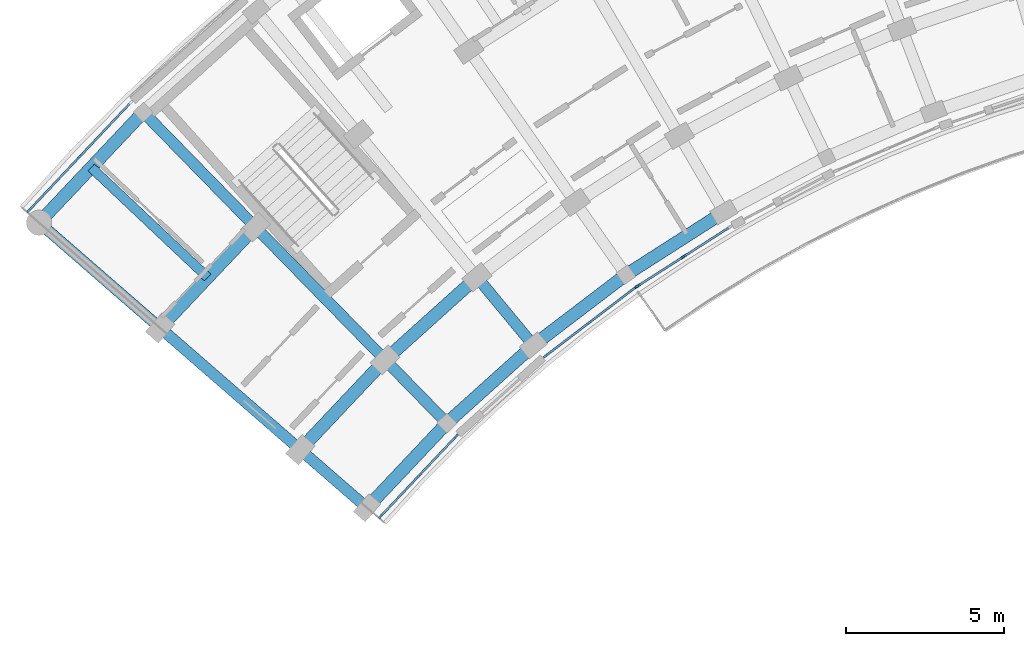
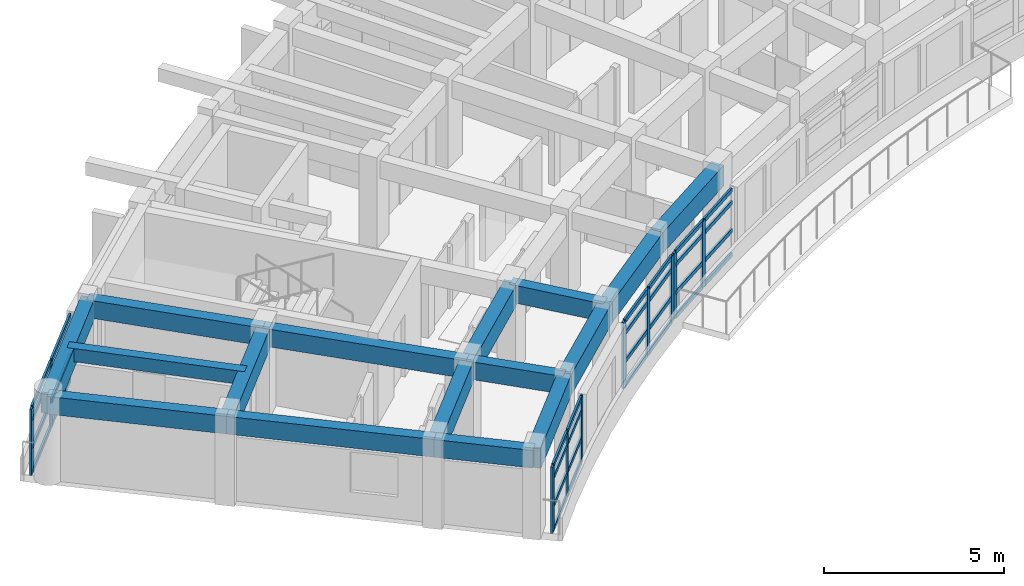
# One storey, part 3 of 56: 42 members, 16 beams, 4 elements without a shape of their own.
"""IFC4 building model written with IfcOpenShell, lengths in metres."""

from ifc_helpers import new_model, si_unit, direction, frame, origin, origin_2d, place, context, subcontext, project, spatial, rectangle, extrude, material, material_profile, profile_set, type_object, element, aggregate, save


model = new_model("IFC4")

# Units and contexts
model_context = context("Model", 3, precision=1e-05, world=origin(), true_north=direction((0.0, 1.0)))
body_context = subcontext(model_context, "Body", "Model", "MODEL_VIEW")
ifc_project = project(units=[si_unit("LENGTHUNIT", "METRE"), si_unit("AREAUNIT", "SQUARE_METRE"), si_unit("VOLUMEUNIT", "CUBIC_METRE"), si_unit("PLANEANGLEUNIT", "RADIAN"), si_unit("MASSUNIT", "GRAM", prefix="KILO")], contexts=[model_context])

# Site, building, storey
site_placement = place(None, origin())
site = spatial("IfcSite", under=ifc_project, at=site_placement, CompositionType="ELEMENT")
building_placement = place(site_placement, origin())
building = spatial("IfcBuilding", under=site, at=building_placement, Name="Zimvara Arc Housing Community", CompositionType="ELEMENT")
storey_placement = place(building_placement, frame((0.0, 0.0, 17.39990234375)))
storey = spatial("IfcBuildingStorey", under=building, at=storey_placement, Name="L05", CompositionType="ELEMENT", Elevation=17.39990234375)

# Beams
ifc_material_1 = material(Name="Concrete C40/50", Category="concrete")
ifc_material_profile_1 = material_profile(ifc_material_1, rectangle(XDim=0.300048828125, YDim=0.449951171875, at=origin_2d()), Name="RC 300x450")
ifc_profile_set_1 = profile_set([ifc_material_profile_1], Name="Concrete C40/50")
beam_type_1 = type_object("IfcBeamType", Name="BM-RC-300x450", PredefinedType="JOIST", material=ifc_profile_set_1)
beam_1_placement = place(storey_placement, frame((5.904296875, 81.3935546875, 2.64501953125), z_axis=(-0.727299876429, 0.686319815936, 0.0), x_axis=(-0.686319815936, -0.727299876429, 0.0)))
element("IfcBeam", 1, at=beam_1_placement, inside=storey, type_object=beam_type_1, Name="bm:blkA:L05:joist:b0", PredefinedType="JOIST", context=body_context, shape_type="SweptSolid", body=[
    extrude(rectangle(XDim=0.300048828125, YDim=0.449951171875, at=origin_2d()), origin(), (0.0, 0.0, 1.0), 5.075927734375),
])
ifc_material_2 = material(Name="Concrete C40/50", Category="concrete")
ifc_material_profile_2 = material_profile(ifc_material_2, rectangle(XDim=0.35009765625, YDim=0.60009765625, at=origin_2d()), Name="RC 350x600")
ifc_profile_set_2 = profile_set([ifc_material_profile_2], Name="Concrete C40/50")
beam_type_2 = type_object("IfcBeamType", Name="BM-RC-350x600", PredefinedType="BEAM", material=ifc_profile_set_2)
beam_2_placement = place(storey_placement, frame((10.947509765625, 74.101318359375, 2.570068359375), z_axis=(-0.754733151583, 0.656031912259, 0.0), x_axis=(-0.656031912259, -0.754733151583, 0.0)))
element("IfcBeam", 2, at=beam_2_placement, inside=storey, type_object=beam_type_2, Name="bm:blkA:L05:rad:b0:r01", PredefinedType="BEAM", context=body_context, shape_type="SweptSolid", body=[
    extrude(rectangle(XDim=0.35009765625, YDim=0.60009765625, at=origin_2d()), origin(), (0.0, 0.0, 1.0), 2.800048828125),
])
beam_3_placement = place(storey_placement, frame((8.834228515625, 75.938232421875, 2.570068359375), z_axis=(-0.754692223258, 0.656078995362, 0.0), x_axis=(-0.656078995362, -0.754692223258, 0.0)))
element("IfcBeam", 3, at=beam_3_placement, inside=storey, type_object=beam_type_2, Name="bm:blkA:L05:rad:b0:r12", PredefinedType="BEAM", context=body_context, shape_type="SweptSolid", body=[
    extrude(rectangle(XDim=0.35009765625, YDim=0.60009765625, at=origin_2d()), origin(), (0.0, 0.0, 1.0), 5.8798828125),
])
beam_4_placement = place(storey_placement, frame((4.396728515625, 79.7958984375, 2.570068359375), z_axis=(-0.754716217499, 0.656051393599, 0.0), x_axis=(-0.656051393599, -0.754716217499, 0.0)))
element("IfcBeam", 4, at=beam_4_placement, inside=storey, type_object=beam_type_2, Name="bm:blkA:L05:rad:b0:r23", PredefinedType="BEAM", context=body_context, shape_type="SweptSolid", body=[
    extrude(rectangle(XDim=0.35009765625, YDim=0.60009765625, at=origin_2d()), origin(), (0.0, 0.0, 1.0), 5.080078125),
])
beam_5_placement = place(storey_placement, frame((13.476318359375, 76.781005859375, 2.570068359375), z_axis=(-0.698643013894, 0.71547043205, 0.0), x_axis=(-0.71547043205, -0.698643013894, 0.0)))
element("IfcBeam", 5, at=beam_5_placement, inside=storey, type_object=beam_type_2, Name="bm:blkA:L05:rad:b1:r01", PredefinedType="BEAM", context=body_context, shape_type="SweptSolid", body=[
    extrude(rectangle(XDim=0.35009765625, YDim=0.60009765625, at=origin_2d()), origin(), (0.0, 0.0, 1.0), 2.800048828125),
])
beam_6_placement = place(storey_placement, frame((11.52001953125, 78.784423828125, 2.570068359375), z_axis=(-0.698669844288, 0.715444231707, 0.0), x_axis=(-0.715444231707, -0.698669844288, 0.0)))
element("IfcBeam", 6, at=beam_6_placement, inside=storey, type_object=beam_type_2, Name="bm:blkA:L05:rad:b1:r12", PredefinedType="BEAM", context=body_context, shape_type="SweptSolid", body=[
    extrude(rectangle(XDim=0.35009765625, YDim=0.60009765625, at=origin_2d()), origin(), (0.0, 0.0, 1.0), 5.8798828125),
])
beam_7_placement = place(storey_placement, frame((7.411865234375, 82.9912109375, 2.570068359375), z_axis=(-0.698670885014, 0.71544321538, 0.0), x_axis=(-0.71544321538, -0.698670885014, 0.0)))
element("IfcBeam", 7, at=beam_7_placement, inside=storey, type_object=beam_type_2, Name="bm:blkA:L05:rad:b1:r23", PredefinedType="BEAM", context=body_context, shape_type="SweptSolid", body=[
    extrude(rectangle(XDim=0.35009765625, YDim=0.60009765625, at=origin_2d()), origin(), (0.0, 0.0, 1.0), 5.080078125),
])
beam_8_placement = place(storey_placement, frame((16.215087890625, 79.245361328125, 2.570068359375), z_axis=(-0.637917412223, 0.770104781951, 0.0), x_axis=(-0.770104781951, -0.637917412223, 0.0)))
element("IfcBeam", 8, at=beam_8_placement, inside=storey, type_object=beam_type_2, Name="bm:blkA:L05:rad:b2:r01", PredefinedType="BEAM", context=body_context, shape_type="SweptSolid", body=[
    extrude(rectangle(XDim=0.35009765625, YDim=0.60009765625, at=origin_2d()), origin(), (0.0, 0.0, 1.0), 2.800048828125),
])
ifc_material_3 = material(Name="Concrete C40/50", Category="concrete")
ifc_material_profile_3 = material_profile(ifc_material_3, rectangle(XDim=0.39990234375, YDim=0.699951171875, at=origin_2d()), Name="RC 400x700")
ifc_profile_set_3 = profile_set([ifc_material_profile_3], Name="Concrete C40/50")
beam_type_3 = type_object("IfcBeamType", Name="BM-RC-400x700", PredefinedType="BEAM", material=ifc_profile_set_3)
beam_9_placement = place(storey_placement, frame((10.947509765625, 74.101318359375, 2.52001953125), z_axis=(0.686335517678, 0.727285059088, 0.0), x_axis=(-0.727285059088, 0.686335517678, 0.0)))
element("IfcBeam", 9, at=beam_9_placement, inside=storey, type_object=beam_type_3, Name="bm:blkA:L05:chord:r0:b0", PredefinedType="BEAM", context=body_context, shape_type="SweptSolid", body=[
    extrude(rectangle(XDim=0.39990234375, YDim=0.699951171875, at=origin_2d()), origin(), (0.0, 0.0, 1.0), 3.6845703125),
])
beam_10_placement = place(storey_placement, frame((13.476318359375, 76.781005859375, 2.52001953125), z_axis=(0.743366631239, 0.668884183966, 0.0), x_axis=(-0.668884183966, 0.743366631239, 0.0)))
element("IfcBeam", 10, at=beam_10_placement, inside=storey, type_object=beam_type_3, Name="bm:blkA:L05:chord:r0:b1", PredefinedType="BEAM", context=body_context, shape_type="SweptSolid", body=[
    extrude(rectangle(XDim=0.39990234375, YDim=0.699951171875, at=origin_2d()), origin(), (0.0, 0.0, 1.0), 3.684326171875),
])
beam_11_placement = place(storey_placement, frame((16.215087890625, 79.245361328125, 2.52001953125), z_axis=(0.795453014049, 0.606015265847, 0.0), x_axis=(-0.606015265847, 0.795453014049, 0.0)))
element("IfcBeam", 11, at=beam_11_placement, inside=storey, type_object=beam_type_3, Name="bm:blkA:L05:chord:r0:b2", PredefinedType="BEAM", context=body_context, shape_type="SweptSolid", body=[
    extrude(rectangle(XDim=0.39990234375, YDim=0.699951171875, at=origin_2d()), origin(), (0.0, 0.0, 1.0), 3.6845703125),
])
beam_12_placement = place(storey_placement, frame((19.14599609375, 81.478271484375, 2.52001953125), z_axis=(0.842272604079, 0.539051816079, 0.0), x_axis=(-0.539051816079, 0.842272604079, 0.0)))
element("IfcBeam", 12, at=beam_12_placement, inside=storey, type_object=beam_type_3, Name="bm:blkA:L05:chord:r0:b3", PredefinedType="BEAM", context=body_context, shape_type="SweptSolid", body=[
    extrude(rectangle(XDim=0.39990234375, YDim=0.699951171875, at=origin_2d()), origin(), (0.0, 0.0, 1.0), 3.684326171875),
])
beam_13_placement = place(storey_placement, frame((8.834228515625, 75.938232421875, 2.52001953125), z_axis=(0.686315710793, 0.727303750243, 0.0), x_axis=(-0.727303750243, 0.686315710793, 0.0)))
element("IfcBeam", 13, at=beam_13_placement, inside=storey, type_object=beam_type_3, Name="bm:blkA:L05:chord:r1:b0", PredefinedType="BEAM", context=body_context, shape_type="SweptSolid", body=[
    extrude(rectangle(XDim=0.39990234375, YDim=0.699951171875, at=origin_2d()), origin(), (0.0, 0.0, 1.0), 3.913330078125),
])
beam_14_placement = place(storey_placement, frame((11.52001953125, 78.784423828125, 2.52001953125), z_axis=(0.743402719516, 0.668844074965, 0.0), x_axis=(-0.668844074965, 0.743402719516, 0.0)))
element("IfcBeam", 14, at=beam_14_placement, inside=storey, type_object=beam_type_3, Name="bm:blkA:L05:chord:r1:b1", PredefinedType="BEAM", context=body_context, shape_type="SweptSolid", body=[
    extrude(rectangle(XDim=0.39990234375, YDim=0.699951171875, at=origin_2d()), origin(), (0.0, 0.0, 1.0), 3.9130859375),
])
beam_15_placement = place(storey_placement, frame((4.396728515625, 79.7958984375, 2.52001953125), z_axis=(0.686303637813, 0.727315142648, 0.0), x_axis=(-0.727315142648, 0.686303637813, 0.0)))
element("IfcBeam", 15, at=beam_15_placement, inside=storey, type_object=beam_type_3, Name="bm:blkA:L05:chord:r2:b0", PredefinedType="BEAM", context=body_context, shape_type="SweptSolid", body=[
    extrude(rectangle(XDim=0.39990234375, YDim=0.699951171875, at=origin_2d()), origin(), (0.0, 0.0, 1.0), 4.393310546875),
])
beam_16_placement = place(storey_placement, frame((0.562744140625, 83.128662109375, 2.52001953125), z_axis=(0.6862954451, 0.727322873307, 0.0), x_axis=(-0.727322873307, 0.6862954451, 0.0)))
element("IfcBeam", 16, at=beam_16_placement, inside=storey, type_object=beam_type_3, Name="bm:blkA:L05:chord:r3:b0", PredefinedType="BEAM", context=body_context, shape_type="SweptSolid", body=[
    extrude(rectangle(XDim=0.39990234375, YDim=0.699951171875, at=origin_2d()), origin(), (0.0, 0.0, 1.0), 4.80810546875),
])

# Curtain wall, members
ifc_material_4 = material(Name="Anodised Aluminium AW-6063", Category="aluminium")
curtain_wall_type_1 = type_object("IfcCurtainWallType", Name="CW-SYS-04", PredefinedType="USERDEFINED", material=ifc_material_4)
curtain_wall_1_placement = place(storey_placement, origin())
curtain_wall_1 = element("IfcCurtainWall", 17, at=curtain_wall_1_placement, inside=storey, type_object=curtain_wall_type_1, Name="cw:blkA:L05:in:b0", ObjectType="CURTAIN WALL", PredefinedType="USERDEFINED")
ifc_material_5 = material(Name="Anodised Aluminium AW-6063", Category="aluminium")
ifc_material_profile_4 = material_profile(ifc_material_5, rectangle(XDim=0.06494140625, YDim=0.179931640625, at=origin_2d()), Name="ALU 65x180")
ifc_profile_set_4 = profile_set([ifc_material_profile_4], Name="Anodised Aluminium AW-6063")
member_type_1 = type_object("IfcMemberType", Name="CWM-65x150", PredefinedType="MULLION", material=ifc_profile_set_4)
member_1_placement = place(storey_placement, frame((11.388427734375, 73.840576171875, 0.0), z_axis=(0.0, 0.0, 1.0), x_axis=(-0.727293280483, 0.686326805658, 0.0)))
member_1 = element("IfcMember", 18, at=member_1_placement, type_object=member_type_1, Name="CW04 mullion 1", PredefinedType="MULLION", context=body_context, shape_type="SweptSolid", body=[
    extrude(rectangle(XDim=0.06494140625, YDim=0.179931640625, at=origin_2d()), origin(), (0.0, 0.0, 1.0), 2.25),
])
member_2_placement = place(storey_placement, frame((12.5751953125, 75.098388671875, 0.0), z_axis=(0.0, 0.0, 1.0), x_axis=(-0.727293280483, 0.686326805658, 0.0)))
member_2 = element("IfcMember", 19, at=member_2_placement, type_object=member_type_1, Name="CW04 mullion 2", PredefinedType="MULLION", context=body_context, shape_type="SweptSolid", body=[
    extrude(rectangle(XDim=0.06494140625, YDim=0.179931640625, at=origin_2d()), origin(), (0.0, 0.0, 1.0), 2.25),
])
member_3_placement = place(storey_placement, frame((13.761962890625, 76.35595703125, 0.0), z_axis=(0.0, 0.0, 1.0), x_axis=(-0.727293280483, 0.686326805658, 0.0)))
member_3 = element("IfcMember", 20, at=member_3_placement, type_object=member_type_1, Name="CW04 mullion 3", PredefinedType="MULLION", context=body_context, shape_type="SweptSolid", body=[
    extrude(rectangle(XDim=0.06494140625, YDim=0.179931640625, at=origin_2d()), origin(), (0.0, 0.0, 1.0), 2.25),
])

ifc_material_6 = material(Name="Anodised Aluminium AW-6063", Category="aluminium")
curtain_wall_type_2 = type_object("IfcCurtainWallType", Name="CW-SYS-06", PredefinedType="USERDEFINED", material=ifc_material_6)
curtain_wall_2_placement = place(storey_placement, origin())
curtain_wall_2 = element("IfcCurtainWall", 21, at=curtain_wall_2_placement, inside=storey, type_object=curtain_wall_type_2, Name="cw:blkA:L05:in:b2", ObjectType="CURTAIN WALL", PredefinedType="USERDEFINED")
member_4_placement = place(storey_placement, frame((16.607666015625, 78.91650390625, 0.0), z_axis=(0.0, 0.0, 1.0), x_axis=(-0.605988318533, 0.795473543119, 0.0)))
member_4 = element("IfcMember", 22, at=member_4_placement, type_object=member_type_1, Name="CW06 mullion 1", PredefinedType="MULLION", context=body_context, shape_type="SweptSolid", body=[
    extrude(rectangle(XDim=0.06494140625, YDim=0.179931640625, at=origin_2d()), origin(), (0.0, 0.0, 1.0), 2.25),
])
member_5_placement = place(storey_placement, frame((17.9833984375, 79.96435546875, 0.0), z_axis=(0.0, 0.0, 1.0), x_axis=(-0.605988318533, 0.795473543119, 0.0)))
member_5 = element("IfcMember", 23, at=member_5_placement, type_object=member_type_1, Name="CW06 mullion 2", PredefinedType="MULLION", context=body_context, shape_type="SweptSolid", body=[
    extrude(rectangle(XDim=0.06494140625, YDim=0.179931640625, at=origin_2d()), origin(), (0.0, 0.0, 1.0), 2.25),
])
member_6_placement = place(storey_placement, frame((19.35888671875, 81.012451171875, 0.0), z_axis=(0.0, 0.0, 1.0), x_axis=(-0.605988318533, 0.795473543119, 0.0)))
member_6 = element("IfcMember", 24, at=member_6_placement, type_object=member_type_1, Name="CW06 mullion 3", PredefinedType="MULLION", context=body_context, shape_type="SweptSolid", body=[
    extrude(rectangle(XDim=0.06494140625, YDim=0.179931640625, at=origin_2d()), origin(), (0.0, 0.0, 1.0), 2.25),
])

ifc_material_7 = material(Name="Anodised Aluminium AW-6063", Category="aluminium")
curtain_wall_type_3 = type_object("IfcCurtainWallType", Name="CW-SYS-08", PredefinedType="USERDEFINED", material=ifc_material_7)
curtain_wall_3_placement = place(storey_placement, origin())
curtain_wall_3 = element("IfcCurtainWall", 25, at=curtain_wall_3_placement, inside=storey, type_object=curtain_wall_type_3, Name="cw:blkA:L05:in:b3", ObjectType="CURTAIN WALL", PredefinedType="USERDEFINED")
member_7_placement = place(storey_placement, frame((19.510498046875, 81.118408203125, 0.0), z_axis=(0.0, 0.0, 1.0), x_axis=(-0.539064085203, 0.842264751752, 0.0)))
member_7 = element("IfcMember", 26, at=member_7_placement, type_object=member_type_1, Name="CW08 mullion 1", PredefinedType="MULLION", context=body_context, shape_type="SweptSolid", body=[
    extrude(rectangle(XDim=0.06494140625, YDim=0.179931640625, at=origin_2d()), origin(), (0.0, 0.0, 1.0), 2.25),
])
member_8_placement = place(storey_placement, frame((20.967041015625, 82.050537109375, 0.0), z_axis=(0.0, 0.0, 1.0), x_axis=(-0.539064085203, 0.842264751752, 0.0)))
member_8 = element("IfcMember", 27, at=member_8_placement, type_object=member_type_1, Name="CW08 mullion 2", PredefinedType="MULLION", context=body_context, shape_type="SweptSolid", body=[
    extrude(rectangle(XDim=0.06494140625, YDim=0.179931640625, at=origin_2d()), origin(), (0.0, 0.0, 1.0), 2.25),
])

ifc_material_8 = material(Name="Anodised Aluminium AW-6063", Category="aluminium")
curtain_wall_type_4 = type_object("IfcCurtainWallType", Name="CW-SYS-03", PredefinedType="USERDEFINED", material=ifc_material_8)
curtain_wall_4_placement = place(storey_placement, origin())
curtain_wall_4 = element("IfcCurtainWall", 28, at=curtain_wall_4_placement, inside=storey, type_object=curtain_wall_type_4, Name="cw:blkA:L05:out:b0", ObjectType="CURTAIN WALL", PredefinedType="USERDEFINED")
ifc_material_9 = material(Name="Anodised Aluminium AW-6063", Category="aluminium")
ifc_material_profile_5 = material_profile(ifc_material_9, rectangle(XDim=0.06494140625, YDim=0.195068359375, at=origin_2d()), Name="ALU 65x195")
ifc_profile_set_5 = profile_set([ifc_material_profile_5], Name="Anodised Aluminium AW-6063")
member_type_2 = type_object("IfcMemberType", Name="CWM-65x180", PredefinedType="MULLION", material=ifc_profile_set_5)
member_9_placement = place(storey_placement, frame((0.248779296875, 83.524169921875, 0.0), z_axis=(0.0, 0.0, 1.0), x_axis=(-0.727293647725, 0.686326416495, 0.0)))
member_9 = element("IfcMember", 29, at=member_9_placement, type_object=member_type_2, Name="CW03 mullion 1", PredefinedType="MULLION", context=body_context, shape_type="SweptSolid", body=[
    extrude(rectangle(XDim=0.06494140625, YDim=0.195068359375, at=origin_2d()), origin(), (0.0, 0.0, 1.0), 2.25),
])
member_10_placement = place(storey_placement, frame((1.849365234375, 85.219970703125, 0.0), z_axis=(0.0, 0.0, 1.0), x_axis=(-0.727293647725, 0.686326416495, 0.0)))
member_10 = element("IfcMember", 30, at=member_10_placement, type_object=member_type_2, Name="CW03 mullion 2", PredefinedType="MULLION", context=body_context, shape_type="SweptSolid", body=[
    extrude(rectangle(XDim=0.06494140625, YDim=0.195068359375, at=origin_2d()), origin(), (0.0, 0.0, 1.0), 2.25),
])

# Member
ifc_material_10 = material(Name="Anodised Aluminium AW-6063", Category="aluminium")
ifc_material_profile_6 = material_profile(ifc_material_10, rectangle(XDim=0.06494140625, YDim=0.139892578125, at=origin_2d()), Name="ALU 65x140")
ifc_profile_set_6 = profile_set([ifc_material_profile_6], Name="Anodised Aluminium AW-6063")
member_type_3 = type_object("IfcMemberType", Name="CWT-65x120", PredefinedType="USERDEFINED", material=ifc_profile_set_6)
member_11_placement = place(storey_placement, frame((11.41064453125, 73.8642578125, 0.03271484375), z_axis=(0.686347817597, 0.727273451516, 0.0), x_axis=(-0.727273451516, 0.686347817597, 0.0)))
member_11 = element("IfcMember", 31, at=member_11_placement, type_object=member_type_3, Name="CW04 transom 1.1", ObjectType="TRANSOM", PredefinedType="USERDEFINED", context=body_context, shape_type="SweptSolid", body=[
    extrude(rectangle(XDim=0.06494140625, YDim=0.139892578125, at=origin_2d()), origin(), (0.0, 0.0, 1.0), 1.664306640625),
])

member_12_placement = place(storey_placement, frame((11.41064453125, 73.8642578125, 0.85009765625), z_axis=(0.686347817597, 0.727273451516, 0.0), x_axis=(-0.727273451516, 0.686347817597, 0.0)))
member_12 = element("IfcMember", 32, at=member_12_placement, type_object=member_type_3, Name="CW04 transom 1.2", ObjectType="TRANSOM", PredefinedType="USERDEFINED", context=body_context, shape_type="SweptSolid", body=[
    extrude(rectangle(XDim=0.06494140625, YDim=0.139892578125, at=origin_2d()), origin(), (0.0, 0.0, 1.0), 1.664306640625),
])

member_13_placement = place(storey_placement, frame((11.41064453125, 73.8642578125, 1.800048828125), z_axis=(0.686347817597, 0.727273451516, 0.0), x_axis=(-0.727273451516, 0.686347817597, 0.0)))
member_13 = element("IfcMember", 33, at=member_13_placement, type_object=member_type_3, Name="CW04 transom 1.3", ObjectType="TRANSOM", PredefinedType="USERDEFINED", context=body_context, shape_type="SweptSolid", body=[
    extrude(rectangle(XDim=0.06494140625, YDim=0.139892578125, at=origin_2d()), origin(), (0.0, 0.0, 1.0), 1.664306640625),
])

member_14_placement = place(storey_placement, frame((11.41064453125, 73.8642578125, 2.217529296875), z_axis=(0.686347817597, 0.727273451516, 0.0), x_axis=(-0.727273451516, 0.686347817597, 0.0)))
member_14 = element("IfcMember", 34, at=member_14_placement, type_object=member_type_3, Name="CW04 transom 1.4", ObjectType="TRANSOM", PredefinedType="USERDEFINED", context=body_context, shape_type="SweptSolid", body=[
    extrude(rectangle(XDim=0.06494140625, YDim=0.139892578125, at=origin_2d()), origin(), (0.0, 0.0, 1.0), 1.664306640625),
])

member_15_placement = place(storey_placement, frame((12.597412109375, 75.1220703125, 0.03271484375), z_axis=(0.686347817597, 0.727273451516, 0.0), x_axis=(-0.727273451516, 0.686347817597, 0.0)))
member_15 = element("IfcMember", 35, at=member_15_placement, type_object=member_type_3, Name="CW04 transom 2.1", ObjectType="TRANSOM", PredefinedType="USERDEFINED", context=body_context, shape_type="SweptSolid", body=[
    extrude(rectangle(XDim=0.06494140625, YDim=0.139892578125, at=origin_2d()), origin(), (0.0, 0.0, 1.0), 1.664306640625),
])

member_16_placement = place(storey_placement, frame((12.597412109375, 75.1220703125, 0.85009765625), z_axis=(0.686347817597, 0.727273451516, 0.0), x_axis=(-0.727273451516, 0.686347817597, 0.0)))
member_16 = element("IfcMember", 36, at=member_16_placement, type_object=member_type_3, Name="CW04 transom 2.2", ObjectType="TRANSOM", PredefinedType="USERDEFINED", context=body_context, shape_type="SweptSolid", body=[
    extrude(rectangle(XDim=0.06494140625, YDim=0.139892578125, at=origin_2d()), origin(), (0.0, 0.0, 1.0), 1.664306640625),
])

member_17_placement = place(storey_placement, frame((12.597412109375, 75.1220703125, 1.800048828125), z_axis=(0.686347817597, 0.727273451516, 0.0), x_axis=(-0.727273451516, 0.686347817597, 0.0)))
member_17 = element("IfcMember", 37, at=member_17_placement, type_object=member_type_3, Name="CW04 transom 2.3", ObjectType="TRANSOM", PredefinedType="USERDEFINED", context=body_context, shape_type="SweptSolid", body=[
    extrude(rectangle(XDim=0.06494140625, YDim=0.139892578125, at=origin_2d()), origin(), (0.0, 0.0, 1.0), 1.664306640625),
])

member_18_placement = place(storey_placement, frame((12.597412109375, 75.1220703125, 2.217529296875), z_axis=(0.686347817597, 0.727273451516, 0.0), x_axis=(-0.727273451516, 0.686347817597, 0.0)))
member_18 = element("IfcMember", 38, at=member_18_placement, type_object=member_type_3, Name="CW04 transom 2.4", ObjectType="TRANSOM", PredefinedType="USERDEFINED", context=body_context, shape_type="SweptSolid", body=[
    extrude(rectangle(XDim=0.06494140625, YDim=0.139892578125, at=origin_2d()), origin(), (0.0, 0.0, 1.0), 1.664306640625),
])

aggregate(curtain_wall_1, [member_1, member_2, member_3, member_11, member_12, member_13, member_14, member_15, member_16, member_17, member_18])

member_19_placement = place(storey_placement, frame((16.633544921875, 78.936279296875, 0.03271484375), z_axis=(0.795488960577, 0.605968079687, 0.0), x_axis=(-0.605968079687, 0.795488960577, 0.0)))
member_19 = element("IfcMember", 39, at=member_19_placement, type_object=member_type_3, Name="CW06 transom 1.1", ObjectType="TRANSOM", PredefinedType="USERDEFINED", context=body_context, shape_type="SweptSolid", body=[
    extrude(rectangle(XDim=0.06494140625, YDim=0.139892578125, at=origin_2d()), origin(), (0.0, 0.0, 1.0), 1.664306640625),
])

member_20_placement = place(storey_placement, frame((16.633544921875, 78.936279296875, 0.85009765625), z_axis=(0.795488960577, 0.605968079687, 0.0), x_axis=(-0.605968079687, 0.795488960577, 0.0)))
member_20 = element("IfcMember", 40, at=member_20_placement, type_object=member_type_3, Name="CW06 transom 1.2", ObjectType="TRANSOM", PredefinedType="USERDEFINED", context=body_context, shape_type="SweptSolid", body=[
    extrude(rectangle(XDim=0.06494140625, YDim=0.139892578125, at=origin_2d()), origin(), (0.0, 0.0, 1.0), 1.664306640625),
])

member_21_placement = place(storey_placement, frame((16.633544921875, 78.936279296875, 1.800048828125), z_axis=(0.795488960577, 0.605968079687, 0.0), x_axis=(-0.605968079687, 0.795488960577, 0.0)))
member_21 = element("IfcMember", 41, at=member_21_placement, type_object=member_type_3, Name="CW06 transom 1.3", ObjectType="TRANSOM", PredefinedType="USERDEFINED", context=body_context, shape_type="SweptSolid", body=[
    extrude(rectangle(XDim=0.06494140625, YDim=0.139892578125, at=origin_2d()), origin(), (0.0, 0.0, 1.0), 1.664306640625),
])

member_22_placement = place(storey_placement, frame((16.633544921875, 78.936279296875, 2.217529296875), z_axis=(0.795488960577, 0.605968079687, 0.0), x_axis=(-0.605968079687, 0.795488960577, 0.0)))
member_22 = element("IfcMember", 42, at=member_22_placement, type_object=member_type_3, Name="CW06 transom 1.4", ObjectType="TRANSOM", PredefinedType="USERDEFINED", context=body_context, shape_type="SweptSolid", body=[
    extrude(rectangle(XDim=0.06494140625, YDim=0.139892578125, at=origin_2d()), origin(), (0.0, 0.0, 1.0), 1.664306640625),
])

member_23_placement = place(storey_placement, frame((18.00927734375, 79.984130859375, 0.03271484375), z_axis=(0.795435087713, 0.606038795157, 0.0), x_axis=(-0.606038795157, 0.795435087713, 0.0)))
member_23 = element("IfcMember", 43, at=member_23_placement, type_object=member_type_3, Name="CW06 transom 2.1", ObjectType="TRANSOM", PredefinedType="USERDEFINED", context=body_context, shape_type="SweptSolid", body=[
    extrude(rectangle(XDim=0.06494140625, YDim=0.139892578125, at=origin_2d()), origin(), (0.0, 0.0, 1.0), 1.6640625),
])

member_24_placement = place(storey_placement, frame((18.00927734375, 79.984130859375, 0.85009765625), z_axis=(0.795435087713, 0.606038795157, 0.0), x_axis=(-0.606038795157, 0.795435087713, 0.0)))
member_24 = element("IfcMember", 44, at=member_24_placement, type_object=member_type_3, Name="CW06 transom 2.2", ObjectType="TRANSOM", PredefinedType="USERDEFINED", context=body_context, shape_type="SweptSolid", body=[
    extrude(rectangle(XDim=0.06494140625, YDim=0.139892578125, at=origin_2d()), origin(), (0.0, 0.0, 1.0), 1.6640625),
])

member_25_placement = place(storey_placement, frame((18.00927734375, 79.984130859375, 1.800048828125), z_axis=(0.795435087713, 0.606038795157, 0.0), x_axis=(-0.606038795157, 0.795435087713, 0.0)))
member_25 = element("IfcMember", 45, at=member_25_placement, type_object=member_type_3, Name="CW06 transom 2.3", ObjectType="TRANSOM", PredefinedType="USERDEFINED", context=body_context, shape_type="SweptSolid", body=[
    extrude(rectangle(XDim=0.06494140625, YDim=0.139892578125, at=origin_2d()), origin(), (0.0, 0.0, 1.0), 1.6640625),
])

member_26_placement = place(storey_placement, frame((18.00927734375, 79.984130859375, 2.217529296875), z_axis=(0.795435087713, 0.606038795157, 0.0), x_axis=(-0.606038795157, 0.795435087713, 0.0)))
member_26 = element("IfcMember", 46, at=member_26_placement, type_object=member_type_3, Name="CW06 transom 2.4", ObjectType="TRANSOM", PredefinedType="USERDEFINED", context=body_context, shape_type="SweptSolid", body=[
    extrude(rectangle(XDim=0.06494140625, YDim=0.139892578125, at=origin_2d()), origin(), (0.0, 0.0, 1.0), 1.6640625),
])

aggregate(curtain_wall_2, [member_4, member_5, member_6, member_19, member_20, member_21, member_22, member_23, member_24, member_25, member_26])

member_27_placement = place(storey_placement, frame((19.537841796875, 81.1357421875, 0.03271484375), z_axis=(0.842263408668, 0.539066183709, 0.0), x_axis=(-0.539066183709, 0.842263408668, 0.0)))
member_27 = element("IfcMember", 47, at=member_27_placement, type_object=member_type_3, Name="CW08 transom 1.1", ObjectType="TRANSOM", PredefinedType="USERDEFINED", context=body_context, shape_type="SweptSolid", body=[
    extrude(rectangle(XDim=0.06494140625, YDim=0.139892578125, at=origin_2d()), origin(), (0.0, 0.0, 1.0), 1.664306640625),
])

member_28_placement = place(storey_placement, frame((19.537841796875, 81.1357421875, 0.85009765625), z_axis=(0.842263408668, 0.539066183709, 0.0), x_axis=(-0.539066183709, 0.842263408668, 0.0)))
member_28 = element("IfcMember", 48, at=member_28_placement, type_object=member_type_3, Name="CW08 transom 1.2", ObjectType="TRANSOM", PredefinedType="USERDEFINED", context=body_context, shape_type="SweptSolid", body=[
    extrude(rectangle(XDim=0.06494140625, YDim=0.139892578125, at=origin_2d()), origin(), (0.0, 0.0, 1.0), 1.664306640625),
])

member_29_placement = place(storey_placement, frame((19.537841796875, 81.1357421875, 1.800048828125), z_axis=(0.842263408668, 0.539066183709, 0.0), x_axis=(-0.539066183709, 0.842263408668, 0.0)))
member_29 = element("IfcMember", 49, at=member_29_placement, type_object=member_type_3, Name="CW08 transom 1.3", ObjectType="TRANSOM", PredefinedType="USERDEFINED", context=body_context, shape_type="SweptSolid", body=[
    extrude(rectangle(XDim=0.06494140625, YDim=0.139892578125, at=origin_2d()), origin(), (0.0, 0.0, 1.0), 1.664306640625),
])

member_30_placement = place(storey_placement, frame((19.537841796875, 81.1357421875, 2.217529296875), z_axis=(0.842263408668, 0.539066183709, 0.0), x_axis=(-0.539066183709, 0.842263408668, 0.0)))
member_30 = element("IfcMember", 50, at=member_30_placement, type_object=member_type_3, Name="CW08 transom 1.4", ObjectType="TRANSOM", PredefinedType="USERDEFINED", context=body_context, shape_type="SweptSolid", body=[
    extrude(rectangle(XDim=0.06494140625, YDim=0.139892578125, at=origin_2d()), origin(), (0.0, 0.0, 1.0), 1.664306640625),
])

member_31_placement = place(storey_placement, frame((20.994384765625, 82.068115234375, 0.03271484375), z_axis=(0.842330007588, 0.538962112135, 0.0), x_axis=(-0.538962112135, 0.842330007588, 0.0)))
member_31 = element("IfcMember", 51, at=member_31_placement, type_object=member_type_3, Name="CW08 transom 2.1", ObjectType="TRANSOM", PredefinedType="USERDEFINED", context=body_context, shape_type="SweptSolid", body=[
    extrude(rectangle(XDim=0.06494140625, YDim=0.139892578125, at=origin_2d()), origin(), (0.0, 0.0, 1.0), 1.664306640625),
])

member_32_placement = place(storey_placement, frame((20.994384765625, 82.068115234375, 0.85009765625), z_axis=(0.842330007588, 0.538962112135, 0.0), x_axis=(-0.538962112135, 0.842330007588, 0.0)))
member_32 = element("IfcMember", 52, at=member_32_placement, type_object=member_type_3, Name="CW08 transom 2.2", ObjectType="TRANSOM", PredefinedType="USERDEFINED", context=body_context, shape_type="SweptSolid", body=[
    extrude(rectangle(XDim=0.06494140625, YDim=0.139892578125, at=origin_2d()), origin(), (0.0, 0.0, 1.0), 1.664306640625),
])

member_33_placement = place(storey_placement, frame((20.994384765625, 82.068115234375, 1.800048828125), z_axis=(0.842330007588, 0.538962112135, 0.0), x_axis=(-0.538962112135, 0.842330007588, 0.0)))
member_33 = element("IfcMember", 53, at=member_33_placement, type_object=member_type_3, Name="CW08 transom 2.3", ObjectType="TRANSOM", PredefinedType="USERDEFINED", context=body_context, shape_type="SweptSolid", body=[
    extrude(rectangle(XDim=0.06494140625, YDim=0.139892578125, at=origin_2d()), origin(), (0.0, 0.0, 1.0), 1.664306640625),
])

member_34_placement = place(storey_placement, frame((20.994384765625, 82.068115234375, 2.217529296875), z_axis=(0.842330007588, 0.538962112135, 0.0), x_axis=(-0.538962112135, 0.842330007588, 0.0)))
member_34 = element("IfcMember", 54, at=member_34_placement, type_object=member_type_3, Name="CW08 transom 2.4", ObjectType="TRANSOM", PredefinedType="USERDEFINED", context=body_context, shape_type="SweptSolid", body=[
    extrude(rectangle(XDim=0.06494140625, YDim=0.139892578125, at=origin_2d()), origin(), (0.0, 0.0, 1.0), 1.664306640625),
])

aggregate(curtain_wall_3, [member_7, member_8, member_27, member_28, member_29, member_30, member_31, member_32, member_33, member_34])

ifc_material_11 = material(Name="Anodised Aluminium AW-6063", Category="aluminium")
ifc_material_profile_7 = material_profile(ifc_material_11, rectangle(XDim=0.06494140625, YDim=0.155029296875, at=origin_2d()), Name="ALU 65x155")
ifc_profile_set_7 = profile_set([ifc_material_profile_7], Name="Anodised Aluminium AW-6063")
member_type_4 = type_object("IfcMemberType", Name="CWT-65x140", PredefinedType="USERDEFINED", material=ifc_profile_set_7)
member_35_placement = place(storey_placement, frame((0.271240234375, 83.547607421875, 0.03271484375), z_axis=(0.68623762882, 0.727377423894, 0.0), x_axis=(-0.727377423894, 0.68623762882, 0.0)))
member_35 = element("IfcMember", 55, at=member_35_placement, type_object=member_type_4, Name="CW03 transom 1.1", ObjectType="TRANSOM", PredefinedType="USERDEFINED", context=body_context, shape_type="SweptSolid", body=[
    extrude(rectangle(XDim=0.06494140625, YDim=0.155029296875, at=origin_2d()), origin(), (0.0, 0.0, 1.0), 2.266845703125),
])

member_36_placement = place(storey_placement, frame((0.271240234375, 83.547607421875, 0.85009765625), z_axis=(0.68623762882, 0.727377423894, 0.0), x_axis=(-0.727377423894, 0.68623762882, 0.0)))
member_36 = element("IfcMember", 56, at=member_36_placement, type_object=member_type_4, Name="CW03 transom 1.2", ObjectType="TRANSOM", PredefinedType="USERDEFINED", context=body_context, shape_type="SweptSolid", body=[
    extrude(rectangle(XDim=0.06494140625, YDim=0.155029296875, at=origin_2d()), origin(), (0.0, 0.0, 1.0), 2.266845703125),
])

member_37_placement = place(storey_placement, frame((0.271240234375, 83.547607421875, 1.800048828125), z_axis=(0.68623762882, 0.727377423894, 0.0), x_axis=(-0.727377423894, 0.68623762882, 0.0)))
member_37 = element("IfcMember", 57, at=member_37_placement, type_object=member_type_4, Name="CW03 transom 1.3", ObjectType="TRANSOM", PredefinedType="USERDEFINED", context=body_context, shape_type="SweptSolid", body=[
    extrude(rectangle(XDim=0.06494140625, YDim=0.155029296875, at=origin_2d()), origin(), (0.0, 0.0, 1.0), 2.266845703125),
])

member_38_placement = place(storey_placement, frame((0.271240234375, 83.547607421875, 2.217529296875), z_axis=(0.68623762882, 0.727377423894, 0.0), x_axis=(-0.727377423894, 0.68623762882, 0.0)))
member_38 = element("IfcMember", 58, at=member_38_placement, type_object=member_type_4, Name="CW03 transom 1.4", ObjectType="TRANSOM", PredefinedType="USERDEFINED", context=body_context, shape_type="SweptSolid", body=[
    extrude(rectangle(XDim=0.06494140625, YDim=0.155029296875, at=origin_2d()), origin(), (0.0, 0.0, 1.0), 2.266845703125),
])

member_39_placement = place(storey_placement, frame((1.87158203125, 85.24365234375, 0.03271484375), z_axis=(0.686348357589, 0.727272941911, 0.0), x_axis=(-0.727272941911, 0.686348357589, 0.0)))
member_39 = element("IfcMember", 59, at=member_39_placement, type_object=member_type_4, Name="CW03 transom 2.1", ObjectType="TRANSOM", PredefinedType="USERDEFINED", context=body_context, shape_type="SweptSolid", body=[
    extrude(rectangle(XDim=0.06494140625, YDim=0.155029296875, at=origin_2d()), origin(), (0.0, 0.0, 1.0), 2.266845703125),
])

member_40_placement = place(storey_placement, frame((1.87158203125, 85.24365234375, 0.85009765625), z_axis=(0.686348357589, 0.727272941911, 0.0), x_axis=(-0.727272941911, 0.686348357589, 0.0)))
member_40 = element("IfcMember", 60, at=member_40_placement, type_object=member_type_4, Name="CW03 transom 2.2", ObjectType="TRANSOM", PredefinedType="USERDEFINED", context=body_context, shape_type="SweptSolid", body=[
    extrude(rectangle(XDim=0.06494140625, YDim=0.155029296875, at=origin_2d()), origin(), (0.0, 0.0, 1.0), 2.266845703125),
])

member_41_placement = place(storey_placement, frame((1.87158203125, 85.24365234375, 1.800048828125), z_axis=(0.686348357589, 0.727272941911, 0.0), x_axis=(-0.727272941911, 0.686348357589, 0.0)))
member_41 = element("IfcMember", 61, at=member_41_placement, type_object=member_type_4, Name="CW03 transom 2.3", ObjectType="TRANSOM", PredefinedType="USERDEFINED", context=body_context, shape_type="SweptSolid", body=[
    extrude(rectangle(XDim=0.06494140625, YDim=0.155029296875, at=origin_2d()), origin(), (0.0, 0.0, 1.0), 2.266845703125),
])

member_42_placement = place(storey_placement, frame((1.87158203125, 85.24365234375, 2.217529296875), z_axis=(0.686348357589, 0.727272941911, 0.0), x_axis=(-0.727272941911, 0.686348357589, 0.0)))
member_42 = element("IfcMember", 62, at=member_42_placement, type_object=member_type_4, Name="CW03 transom 2.4", ObjectType="TRANSOM", PredefinedType="USERDEFINED", context=body_context, shape_type="SweptSolid", body=[
    extrude(rectangle(XDim=0.06494140625, YDim=0.155029296875, at=origin_2d()), origin(), (0.0, 0.0, 1.0), 2.266845703125),
])

aggregate(curtain_wall_4, [member_9, member_10, member_35, member_36, member_37, member_38, member_39, member_40, member_41, member_42])

save(model, "model.ifc")
